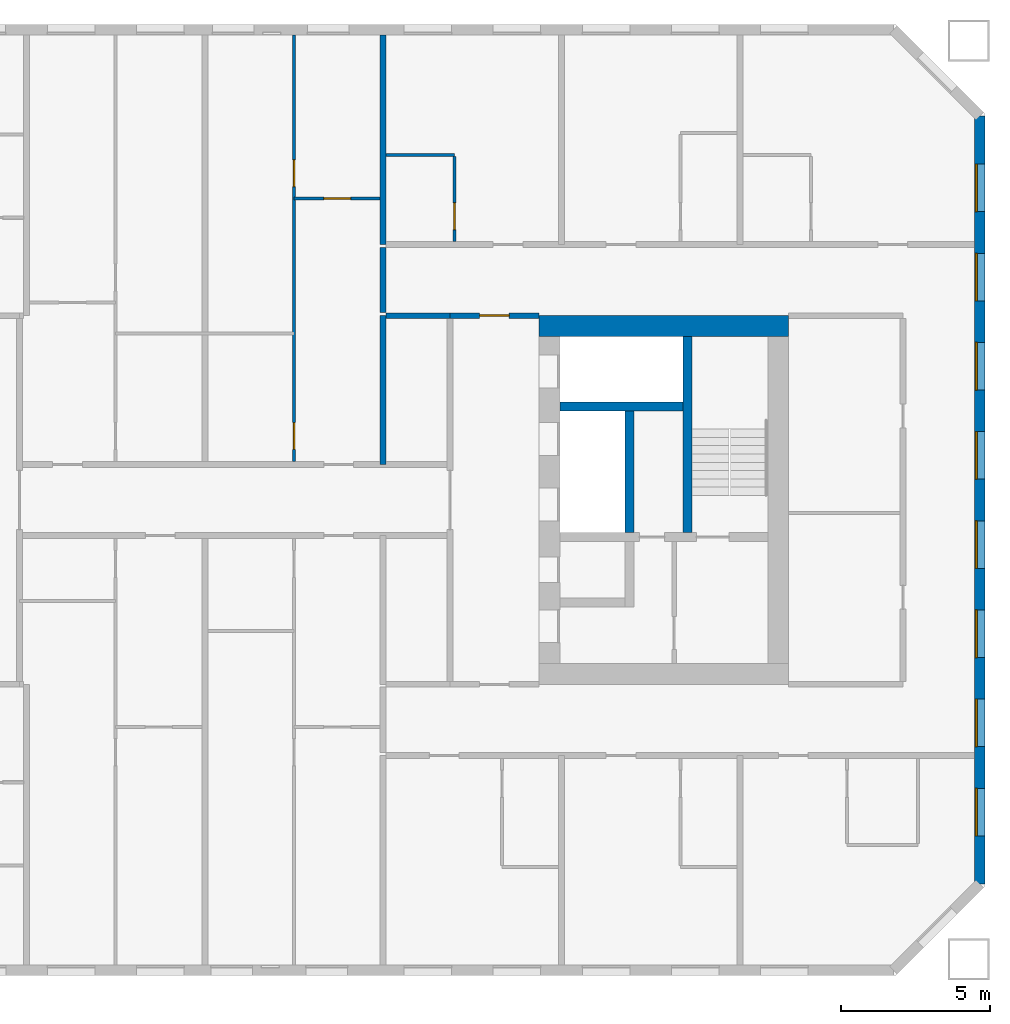
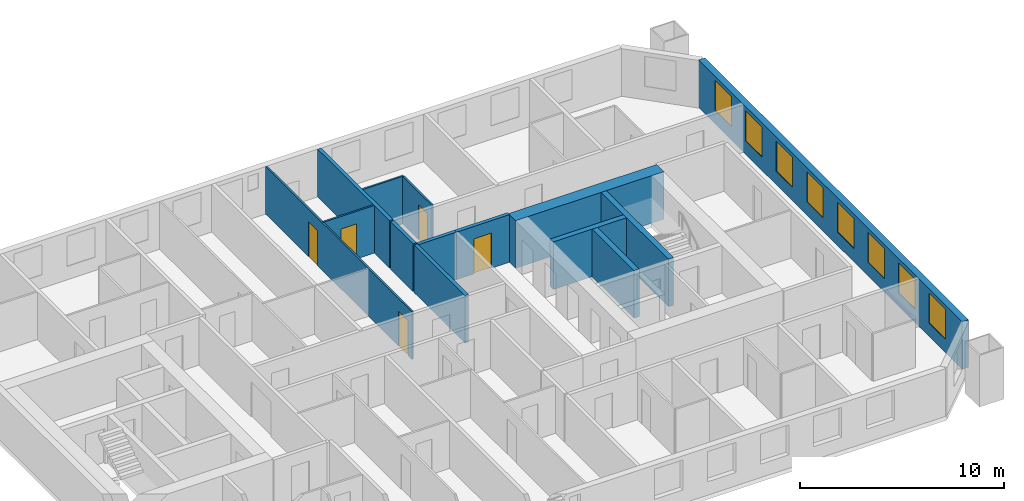
# One storey, part 13 of 16: 14 walls, 8 windows, 5 doors, 13 openings.
"""IFC4 building model written with IfcOpenShell, lengths in metres."""

from ifc_helpers import new_model, si_unit, direction, frame, frame_2d, origin, place, context, subcontext, project, spatial, rectangle, extrude, material, layer, layer_set, type_object, element, fill, save


model = new_model("IFC4")

# Units and contexts
model_context = context("Model", 3, precision=1e-05, world=origin(), true_north=direction((0.0, 1.0)))
body_context = subcontext(model_context, "Body", "Model", "MODEL_VIEW")
ifc_project = project(units=[si_unit("LENGTHUNIT", "METRE"), si_unit("AREAUNIT", "SQUARE_METRE"), si_unit("VOLUMEUNIT", "CUBIC_METRE"), si_unit("PLANEANGLEUNIT", "RADIAN"), si_unit("MASSUNIT", "GRAM", prefix="KILO")], contexts=[model_context])

# Site, building, storey
site_placement = place(None, origin())
site = spatial("IfcSite", under=ifc_project, at=site_placement, CompositionType="ELEMENT")
building_placement = place(site_placement, origin())
building = spatial("IfcBuilding", under=site, at=building_placement, Name="Tuart Gate Housing", CompositionType="ELEMENT")
storey_placement = place(building_placement, frame((0.0, 0.0, 87.10009765625)))
storey = spatial("IfcBuildingStorey", under=building, at=storey_placement, Name="L24", CompositionType="ELEMENT", Elevation=87.10009765625)

# Wall, openings, windows
ifc_material_1 = material(Name="Brick", Category="masonry")
ifc_layer_1 = layer(ifc_material_1, 0.360107421875)
ifc_layer_set_1 = layer_set([ifc_layer_1], Name="Brick pier and spandrel wall 360")
wall_type_1 = type_object("IfcWallType", Name="Brick pier and spandrel wall 360", PredefinedType="STANDARD", material=ifc_layer_set_1)
wall_1_placement = place(storey_placement, frame((175.070068359375, 57.07470703125, 0.0), z_axis=(0.0, 0.0, 1.0), x_axis=(0.0, 1.0, 0.0)))
wall_1 = element("IfcWall", 1, at=wall_1_placement, inside=storey, type_object=wall_type_1, Name="External wall B-E L24", PredefinedType="STANDARD", context=body_context, shape_type="SweptSolid", body=[
    extrude(rectangle(XDim=25.850830078125, YDim=0.360107421875, at=frame_2d((12.92529296875, 0.0))), origin(), (0.0, 0.0, 1.0), 2.849853515625),
])
opening_1_placement = place(wall_1_placement, frame((1.62548828125, 0.0, 0.800048828125)))
opening_1 = element("IfcOpeningElement", 2, at=opening_1_placement, cuts=wall_1, Name="Opening W1", PredefinedType="OPENING", context=body_context, shape_type="SweptSolid", body=[
    extrude(rectangle(XDim=1.60009765625, YDim=1.800048828125, at=frame_2d((0.800048828125, 0.89990234375))), frame((0.0, 0.18994140625, 0.0), z_axis=(0.0, -1.0, 0.0), x_axis=(1.0, 0.0, 0.0)), (0.0, 0.0, 1.0), 0.380126953125),
])
opening_2_placement = place(wall_1_placement, frame((4.62548828125, 0.0, 0.800048828125)))
opening_2 = element("IfcOpeningElement", 3, at=opening_2_placement, cuts=wall_1, Name="Opening W1", PredefinedType="OPENING", context=body_context, shape_type="SweptSolid", body=[
    extrude(rectangle(XDim=1.60009765625, YDim=1.800048828125, at=frame_2d((0.800048828125, 0.89990234375))), frame((0.0, 0.18994140625, 0.0), z_axis=(0.0, -1.0, 0.0), x_axis=(1.0, 0.0, 0.0)), (0.0, 0.0, 1.0), 0.380126953125),
])
opening_3_placement = place(wall_1_placement, frame((7.62548828125, 0.0, 0.800048828125)))
opening_3 = element("IfcOpeningElement", 4, at=opening_3_placement, cuts=wall_1, Name="Opening W1", PredefinedType="OPENING", context=body_context, shape_type="SweptSolid", body=[
    extrude(rectangle(XDim=1.60009765625, YDim=1.800048828125, at=frame_2d((0.800048828125, 0.89990234375))), frame((0.0, 0.18994140625, 0.0), z_axis=(0.0, -1.0, 0.0), x_axis=(1.0, 0.0, 0.0)), (0.0, 0.0, 1.0), 0.380126953125),
])
opening_4_placement = place(wall_1_placement, frame((10.62548828125, 0.0, 0.800048828125)))
opening_4 = element("IfcOpeningElement", 5, at=opening_4_placement, cuts=wall_1, Name="Opening W1", PredefinedType="OPENING", context=body_context, shape_type="SweptSolid", body=[
    extrude(rectangle(XDim=1.60009765625, YDim=1.800048828125, at=frame_2d((0.800048828125, 0.89990234375))), frame((0.0, 0.18994140625, 0.0), z_axis=(0.0, -1.0, 0.0), x_axis=(1.0, 0.0, 0.0)), (0.0, 0.0, 1.0), 0.380126953125),
])
opening_5_placement = place(wall_1_placement, frame((13.62548828125, 0.0, 0.800048828125)))
opening_5 = element("IfcOpeningElement", 6, at=opening_5_placement, cuts=wall_1, Name="Opening W1", PredefinedType="OPENING", context=body_context, shape_type="SweptSolid", body=[
    extrude(rectangle(XDim=1.60009765625, YDim=1.800048828125, at=frame_2d((0.800048828125, 0.89990234375))), frame((0.0, 0.18994140625, 0.0), z_axis=(0.0, -1.0, 0.0), x_axis=(1.0, 0.0, 0.0)), (0.0, 0.0, 1.0), 0.380126953125),
])
opening_6_placement = place(wall_1_placement, frame((16.62548828125, 0.0, 0.800048828125)))
opening_6 = element("IfcOpeningElement", 7, at=opening_6_placement, cuts=wall_1, Name="Opening W1", PredefinedType="OPENING", context=body_context, shape_type="SweptSolid", body=[
    extrude(rectangle(XDim=1.60009765625, YDim=1.800048828125, at=frame_2d((0.800048828125, 0.89990234375))), frame((0.0, 0.18994140625, 0.0), z_axis=(0.0, -1.0, 0.0), x_axis=(1.0, 0.0, 0.0)), (0.0, 0.0, 1.0), 0.380126953125),
])
opening_7_placement = place(wall_1_placement, frame((19.62548828125, 0.0, 0.800048828125)))
opening_7 = element("IfcOpeningElement", 8, at=opening_7_placement, cuts=wall_1, Name="Opening W1", PredefinedType="OPENING", context=body_context, shape_type="SweptSolid", body=[
    extrude(rectangle(XDim=1.60009765625, YDim=1.800048828125, at=frame_2d((0.800048828125, 0.89990234375))), frame((0.0, 0.18994140625, 0.0), z_axis=(0.0, -1.0, 0.0), x_axis=(1.0, 0.0, 0.0)), (0.0, 0.0, 1.0), 0.380126953125),
])
opening_8_placement = place(wall_1_placement, frame((22.62548828125, 0.0, 0.800048828125)))
opening_8 = element("IfcOpeningElement", 9, at=opening_8_placement, cuts=wall_1, Name="Opening W1", PredefinedType="OPENING", context=body_context, shape_type="SweptSolid", body=[
    extrude(rectangle(XDim=1.60009765625, YDim=1.800048828125, at=frame_2d((0.800048828125, 0.89990234375))), frame((0.0, 0.18994140625, 0.0), z_axis=(0.0, -1.0, 0.0), x_axis=(1.0, 0.0, 0.0)), (0.0, 0.0, 1.0), 0.380126953125),
])
ifc_material_2 = material(Name="Aluminium frame with clear glass", Category="aluminium")
window_type = type_object("IfcWindowType", Name="Punched window 1600 x 1800", PartitioningType="SINGLE_PANEL", PredefinedType="WINDOW", material=ifc_material_2)
window_1_placement = place(opening_1_placement, origin())
window_1 = element("IfcWindow", 10, at=window_1_placement, inside=storey, type_object=window_type, Name="Window W1", OverallHeight=1.800048828125, OverallWidth=1.60009765625, PartitioningType="SINGLE_PANEL", PredefinedType="WINDOW", context=body_context, shape_type="SweptSolid", body=[
    extrude(rectangle(XDim=1.60009765625, YDim=1.800048828125, at=frame_2d((0.800048828125, 0.89990234375))), frame((0.0, 0.150146484375, 0.0), z_axis=(0.0, -1.0, 0.0), x_axis=(1.0, 0.0, 0.0)), (0.0, 0.0, 1.0), 0.06005859375),
])
fill(opening_1, window_1)
window_2_placement = place(opening_2_placement, origin())
window_2 = element("IfcWindow", 11, at=window_2_placement, inside=storey, type_object=window_type, Name="Window W1", OverallHeight=1.800048828125, OverallWidth=1.60009765625, PartitioningType="SINGLE_PANEL", PredefinedType="WINDOW", context=body_context, shape_type="SweptSolid", body=[
    extrude(rectangle(XDim=1.60009765625, YDim=1.800048828125, at=frame_2d((0.800048828125, 0.89990234375))), frame((0.0, 0.150146484375, 0.0), z_axis=(0.0, -1.0, 0.0), x_axis=(1.0, 0.0, 0.0)), (0.0, 0.0, 1.0), 0.06005859375),
])
fill(opening_2, window_2)
window_3_placement = place(opening_3_placement, origin())
window_3 = element("IfcWindow", 12, at=window_3_placement, inside=storey, type_object=window_type, Name="Window W1", OverallHeight=1.800048828125, OverallWidth=1.60009765625, PartitioningType="SINGLE_PANEL", PredefinedType="WINDOW", context=body_context, shape_type="SweptSolid", body=[
    extrude(rectangle(XDim=1.60009765625, YDim=1.800048828125, at=frame_2d((0.800048828125, 0.89990234375))), frame((0.0, 0.150146484375, 0.0), z_axis=(0.0, -1.0, 0.0), x_axis=(1.0, 0.0, 0.0)), (0.0, 0.0, 1.0), 0.06005859375),
])
fill(opening_3, window_3)
window_4_placement = place(opening_4_placement, origin())
window_4 = element("IfcWindow", 13, at=window_4_placement, inside=storey, type_object=window_type, Name="Window W1", OverallHeight=1.800048828125, OverallWidth=1.60009765625, PartitioningType="SINGLE_PANEL", PredefinedType="WINDOW", context=body_context, shape_type="SweptSolid", body=[
    extrude(rectangle(XDim=1.60009765625, YDim=1.800048828125, at=frame_2d((0.800048828125, 0.89990234375))), frame((0.0, 0.150146484375, 0.0), z_axis=(0.0, -1.0, 0.0), x_axis=(1.0, 0.0, 0.0)), (0.0, 0.0, 1.0), 0.06005859375),
])
fill(opening_4, window_4)
window_5_placement = place(opening_5_placement, origin())
window_5 = element("IfcWindow", 14, at=window_5_placement, inside=storey, type_object=window_type, Name="Window W1", OverallHeight=1.800048828125, OverallWidth=1.60009765625, PartitioningType="SINGLE_PANEL", PredefinedType="WINDOW", context=body_context, shape_type="SweptSolid", body=[
    extrude(rectangle(XDim=1.60009765625, YDim=1.800048828125, at=frame_2d((0.800048828125, 0.89990234375))), frame((0.0, 0.150146484375, 0.0), z_axis=(0.0, -1.0, 0.0), x_axis=(1.0, 0.0, 0.0)), (0.0, 0.0, 1.0), 0.06005859375),
])
fill(opening_5, window_5)
window_6_placement = place(opening_6_placement, origin())
window_6 = element("IfcWindow", 15, at=window_6_placement, inside=storey, type_object=window_type, Name="Window W1", OverallHeight=1.800048828125, OverallWidth=1.60009765625, PartitioningType="SINGLE_PANEL", PredefinedType="WINDOW", context=body_context, shape_type="SweptSolid", body=[
    extrude(rectangle(XDim=1.60009765625, YDim=1.800048828125, at=frame_2d((0.800048828125, 0.89990234375))), frame((0.0, 0.150146484375, 0.0), z_axis=(0.0, -1.0, 0.0), x_axis=(1.0, 0.0, 0.0)), (0.0, 0.0, 1.0), 0.06005859375),
])
fill(opening_6, window_6)
window_7_placement = place(opening_7_placement, origin())
window_7 = element("IfcWindow", 16, at=window_7_placement, inside=storey, type_object=window_type, Name="Window W1", OverallHeight=1.800048828125, OverallWidth=1.60009765625, PartitioningType="SINGLE_PANEL", PredefinedType="WINDOW", context=body_context, shape_type="SweptSolid", body=[
    extrude(rectangle(XDim=1.60009765625, YDim=1.800048828125, at=frame_2d((0.800048828125, 0.89990234375))), frame((0.0, 0.150146484375, 0.0), z_axis=(0.0, -1.0, 0.0), x_axis=(1.0, 0.0, 0.0)), (0.0, 0.0, 1.0), 0.06005859375),
])
fill(opening_7, window_7)
window_8_placement = place(opening_8_placement, origin())
window_8 = element("IfcWindow", 17, at=window_8_placement, inside=storey, type_object=window_type, Name="Window W1", OverallHeight=1.800048828125, OverallWidth=1.60009765625, PartitioningType="SINGLE_PANEL", PredefinedType="WINDOW", context=body_context, shape_type="SweptSolid", body=[
    extrude(rectangle(XDim=1.60009765625, YDim=1.800048828125, at=frame_2d((0.800048828125, 0.89990234375))), frame((0.0, 0.150146484375, 0.0), z_axis=(0.0, -1.0, 0.0), x_axis=(1.0, 0.0, 0.0)), (0.0, 0.0, 1.0), 0.06005859375),
])
fill(opening_8, window_8)

# Walls
ifc_material_3 = material(Name="Concrete C50", Category="concrete")
ifc_layer_2 = layer(ifc_material_3, 0.300048828125)
ifc_layer_set_2 = layer_set([ifc_layer_2], Name="Core wall 300 C50")
wall_type_2 = type_object("IfcWallType", Name="Core wall 300 C50", PredefinedType="SHEAR", material=ifc_layer_set_2)
wall_2_placement = place(storey_placement, frame((160.93994140625, 73.14990234375, 0.0), z_axis=(0.0, 0.0, 1.0), x_axis=(1.0, 0.0, 0.0)))
element("IfcWall", 18, at=wall_2_placement, inside=storey, type_object=wall_type_2, Name="Core wall BK.1", PredefinedType="SHEAR", context=body_context, shape_type="SweptSolid", body=[
    extrude(rectangle(XDim=4.150146484375, YDim=0.300048828125, at=frame_2d((2.0751953125, 0.0))), origin(), (0.0, 0.0, 1.0), 2.849853515625),
])
wall_3_placement = place(storey_placement, frame((163.2900390625, 73.0, 0.0), z_axis=(0.0, 0.0, 1.0), x_axis=(0.0, -1.0, 0.0)))
element("IfcWall", 19, at=wall_3_placement, inside=storey, type_object=wall_type_2, Name="Core wall BK.4", PredefinedType="SHEAR", context=body_context, shape_type="SweptSolid", body=[
    extrude(rectangle(XDim=4.10009765625, YDim=0.300048828125, at=frame_2d((2.050048828125, 0.0))), origin(), (0.0, 0.0, 1.0), 2.849853515625),
])
wall_4_placement = place(storey_placement, frame((165.239990234375, 75.5, 0.0), z_axis=(0.0, 0.0, 1.0), x_axis=(0.0, -1.0, 0.0)))
element("IfcWall", 20, at=wall_4_placement, inside=storey, type_object=wall_type_2, Name="Core wall BK.7", PredefinedType="SHEAR", context=body_context, shape_type="SweptSolid", body=[
    extrude(rectangle(XDim=6.60009765625, YDim=0.300048828125, at=frame_2d((3.300048828125, 0.0))), origin(), (0.0, 0.0, 1.0), 2.849853515625),
])
ifc_material_4 = material(Name="Concrete C50", Category="concrete")
ifc_layer_3 = layer(ifc_material_4, 0.699951171875)
ifc_layer_set_3 = layer_set([ifc_layer_3], Name="Core wall 700 C50")
wall_type_3 = type_object("IfcWallType", Name="Core wall 700 C50", PredefinedType="SHEAR", material=ifc_layer_set_3)
wall_5_placement = place(storey_placement, frame((160.239990234375, 75.85009765625, 0.0), z_axis=(0.0, 0.0, 1.0), x_axis=(1.0, 0.0, 0.0)))
element("IfcWall", 21, at=wall_5_placement, inside=storey, type_object=wall_type_3, Name="Core wall BK south", PredefinedType="SHEAR", context=body_context, shape_type="SweptSolid", body=[
    extrude(rectangle(XDim=8.39990234375, YDim=0.699951171875, at=frame_2d((4.199951171875, 0.0))), origin(), (0.0, 0.0, 1.0), 2.849853515625),
])
ifc_material_5 = material(Name="Concrete masonry 15 MPa", Category="masonry")
ifc_layer_4 = layer(ifc_material_5, 0.199951171875)
ifc_layer_set_4 = layer_set([ifc_layer_4], Name="Corridor wall masonry 200")
wall_type_4 = type_object("IfcWallType", Name="Corridor wall masonry 200", PredefinedType="PARTITIONING", material=ifc_layer_set_4)
wall_6_placement = place(storey_placement, frame((155.10009765625, 76.199951171875, 0.0), z_axis=(0.0, 0.0, 1.0), x_axis=(1.0, 0.0, 0.0)))
element("IfcWall", 22, at=wall_6_placement, inside=storey, type_object=wall_type_4, Name="Corridor wall masonry 200", PredefinedType="PARTITIONING", context=body_context, shape_type="SweptSolid", body=[
    extrude(rectangle(XDim=2.139892578125, YDim=0.199951171875, at=frame_2d((1.06982421875, 0.0))), origin(), (0.0, 0.0, 1.0), 2.849853515625),
])
wall_7_placement = place(storey_placement, frame((155.0, 76.300048828125, 0.0), z_axis=(0.0, 0.0, 1.0), x_axis=(0.0, 1.0, 0.0)))
element("IfcWall", 23, at=wall_7_placement, inside=storey, type_object=wall_type_4, Name="Corridor wall masonry 200", PredefinedType="PARTITIONING", context=body_context, shape_type="SweptSolid", body=[
    extrude(rectangle(XDim=2.199951171875, YDim=0.199951171875, at=frame_2d((1.10009765625, 0.0))), origin(), (0.0, 0.0, 1.0), 2.849853515625),
])

# Wall, opening, door
ifc_material_6 = material(Name="Concrete masonry 15 MPa", Category="masonry")
ifc_layer_5 = layer(ifc_material_6, 0.199951171875)
ifc_layer_set_5 = layer_set([ifc_layer_5], Name="Enclosure wall masonry 200")
wall_type_5 = type_object("IfcWallType", Name="Enclosure wall masonry 200", PredefinedType="PARTITIONING", material=ifc_layer_set_5)
wall_8_placement = place(storey_placement, frame((157.239990234375, 76.199951171875, 0.0), z_axis=(0.0, 0.0, 1.0), x_axis=(1.0, 0.0, 0.0)))
wall_8 = element("IfcWall", 24, at=wall_8_placement, inside=storey, type_object=wall_type_5, Name="Enclosure wall masonry 200", PredefinedType="PARTITIONING", context=body_context, shape_type="SweptSolid", body=[
    extrude(rectangle(XDim=3.0, YDim=0.199951171875, at=frame_2d((1.5, 0.0))), origin(), (0.0, 0.0, 1.0), 2.849853515625),
])
opening_9_placement = place(wall_8_placement, frame((1.0, 0.0, 0.0)))
opening_9 = element("IfcOpeningElement", 25, at=opening_9_placement, cuts=wall_8, Name="Opening D1030", PredefinedType="OPENING", context=body_context, shape_type="SweptSolid", body=[
    extrude(rectangle(XDim=1.0, YDim=2.10009765625, at=frame_2d((0.5, 1.050048828125))), frame((0.0, 0.10986328125, 0.0), z_axis=(0.0, -1.0, 0.0), x_axis=(1.0, 0.0, 0.0)), (0.0, 0.0, 1.0), 0.219970703125),
])
ifc_material_7 = material(Name="Timber door leaf in steel frame", Category="steel")
door_type_1 = type_object("IfcDoorType", Name="Fire door 1000", OperationType="SINGLE_SWING_LEFT", PredefinedType="DOOR", material=ifc_material_7)
door_1_placement = place(opening_9_placement, origin())
door_1 = element("IfcDoor", 26, at=door_1_placement, inside=storey, type_object=door_type_1, Name="Fire door", OperationType="SINGLE_SWING_LEFT", OverallHeight=2.10009765625, OverallWidth=1.0, PredefinedType="DOOR", context=body_context, shape_type="SweptSolid", body=[
    extrude(rectangle(XDim=1.0, YDim=2.10009765625, at=frame_2d((0.5, 1.050048828125))), frame((0.0, 0.02490234375, 0.0), z_axis=(0.0, -1.0, 0.0), x_axis=(1.0, 0.0, 0.0)), (0.0, 0.0, 1.0), 0.050048828125),
])
fill(opening_9, door_1)

ifc_material_8 = material(Name="Gypsum board on steel studs", Category="steel")
ifc_layer_6 = layer(ifc_material_8, 0.10009765625)
ifc_layer_set_6 = layer_set([ifc_layer_6], Name="Partition 100")
wall_type_6 = type_object("IfcWallType", Name="Partition 100", PredefinedType="PARTITIONING", material=ifc_layer_set_6)
wall_9_placement = place(storey_placement, frame((152.0, 80.139892578125, 0.0), z_axis=(0.0, 0.0, 1.0), x_axis=(1.0, 0.0, 0.0)))
wall_9 = element("IfcWall", 27, at=wall_9_placement, inside=storey, type_object=wall_type_6, Name="Partition 100", PredefinedType="PARTITIONING", context=body_context, shape_type="SweptSolid", body=[
    extrude(rectangle(XDim=2.89990234375, YDim=0.10009765625, at=frame_2d((1.449951171875, 0.0))), origin(), (0.0, 0.0, 1.0), 2.849853515625),
])
opening_10_placement = place(wall_9_placement, frame((1.0, 0.0, 0.0)))
opening_10 = element("IfcOpeningElement", 28, at=opening_10_placement, cuts=wall_9, Name="Opening D1016", PredefinedType="OPENING", context=body_context, shape_type="SweptSolid", body=[
    extrude(rectangle(XDim=0.89990234375, YDim=2.10009765625, at=frame_2d((0.449951171875, 1.050048828125))), frame((0.0, 0.06005859375, 0.0), z_axis=(0.0, -1.0, 0.0), x_axis=(1.0, 0.0, 0.0)), (0.0, 0.0, 1.0), 0.1201171875),
])
ifc_material_9 = material(Name="Timber door leaf in steel frame", Category="steel")
door_type_2 = type_object("IfcDoorType", Name="Internal door 900 RH", OperationType="SINGLE_SWING_RIGHT", PredefinedType="DOOR", material=ifc_material_9)
door_2_placement = place(opening_10_placement, frame((0.89990234375, 0.0, 0.0), z_axis=(0.0, 0.0, 1.0), x_axis=(-1.0, 0.0, 0.0)))
door_2 = element("IfcDoor", 29, at=door_2_placement, inside=storey, type_object=door_type_2, Name="Internal door", OperationType="SINGLE_SWING_RIGHT", OverallHeight=2.10009765625, OverallWidth=0.89990234375, PredefinedType="DOOR", context=body_context, shape_type="SweptSolid", body=[
    extrude(rectangle(XDim=0.89990234375, YDim=2.10009765625, at=frame_2d((0.449951171875, 1.050048828125))), frame((0.0, 0.025146484375, 0.0), z_axis=(0.0, -1.0, 0.0), x_axis=(1.0, 0.0, 0.0)), (0.0, 0.0, 1.0), 0.050048828125),
])
fill(opening_10, door_2)

# Wall
wall_10_placement = place(storey_placement, frame((155.10009765625, 81.60009765625, 0.0), z_axis=(0.0, 0.0, 1.0), x_axis=(1.0, 0.0, 0.0)))
element("IfcWall", 30, at=wall_10_placement, inside=storey, type_object=wall_type_6, Name="Partition 100", PredefinedType="PARTITIONING", context=body_context, shape_type="SweptSolid", body=[
    extrude(rectangle(XDim=2.2998046875, YDim=0.10009765625, at=frame_2d((1.14990234375, 0.0))), origin(), (0.0, 0.0, 1.0), 2.849853515625),
])

# Wall, openings, doors
wall_11_placement = place(storey_placement, frame((152.0, 71.300048828125, 0.0), z_axis=(0.0, 0.0, 1.0), x_axis=(0.0, 1.0, 0.0)))
wall_11 = element("IfcWall", 31, at=wall_11_placement, inside=storey, type_object=wall_type_6, Name="Partition 100", PredefinedType="PARTITIONING", context=body_context, shape_type="SweptSolid", body=[
    extrude(rectangle(XDim=14.33984375, YDim=0.10009765625, at=frame_2d((7.169921875, 0.0))), origin(), (0.0, 0.0, 1.0), 2.849853515625),
])
opening_11_placement = place(wall_11_placement, frame((9.239990234375, 0.0, 0.0)))
opening_11 = element("IfcOpeningElement", 32, at=opening_11_placement, cuts=wall_11, Name="Opening D1027", PredefinedType="OPENING", context=body_context, shape_type="SweptSolid", body=[
    extrude(rectangle(XDim=0.89990234375, YDim=2.10009765625, at=frame_2d((0.449951171875, 1.050048828125))), frame((0.0, 0.06005859375, 0.0), z_axis=(0.0, -1.0, 0.0), x_axis=(1.0, 0.0, 0.0)), (0.0, 0.0, 1.0), 0.1201171875),
])
opening_12_placement = place(wall_11_placement, frame((0.39990234375, 0.0, 0.0)))
opening_12 = element("IfcOpeningElement", 33, at=opening_12_placement, cuts=wall_11, Name="Opening D1026", PredefinedType="OPENING", context=body_context, shape_type="SweptSolid", body=[
    extrude(rectangle(XDim=0.89990234375, YDim=2.10009765625, at=frame_2d((0.449951171875, 1.050048828125))), frame((0.0, 0.06005859375, 0.0), z_axis=(0.0, -1.0, 0.0), x_axis=(1.0, 0.0, 0.0)), (0.0, 0.0, 1.0), 0.1201171875),
])
ifc_material_10 = material(Name="Timber door leaf in steel frame", Category="steel")
door_type_3 = type_object("IfcDoorType", Name="Bathroom door 900", OperationType="SINGLE_SWING_LEFT", PredefinedType="DOOR", material=ifc_material_10)
door_3_placement = place(opening_12_placement, origin())
door_3 = element("IfcDoor", 34, at=door_3_placement, inside=storey, type_object=door_type_3, Name="Bathroom door", OperationType="SINGLE_SWING_LEFT", OverallHeight=2.10009765625, OverallWidth=0.89990234375, PredefinedType="DOOR", context=body_context, shape_type="SweptSolid", body=[
    extrude(rectangle(XDim=0.89990234375, YDim=2.10009765625, at=frame_2d((0.449951171875, 1.050048828125))), frame((0.0, 0.02490234375, 0.0), z_axis=(0.0, -1.0, 0.0), x_axis=(1.0, 0.0, 0.0)), (0.0, 0.0, 1.0), 0.050048828125),
])
fill(opening_12, door_3)
door_4_placement = place(opening_11_placement, origin())
door_4 = element("IfcDoor", 35, at=door_4_placement, inside=storey, type_object=door_type_2, Name="Internal door", OperationType="SINGLE_SWING_RIGHT", OverallHeight=2.10009765625, OverallWidth=0.89990234375, PredefinedType="DOOR", context=body_context, shape_type="SweptSolid", body=[
    extrude(rectangle(XDim=0.89990234375, YDim=2.10009765625, at=frame_2d((0.449951171875, 1.050048828125))), frame((0.0, 0.02490234375, 0.0), z_axis=(0.0, -1.0, 0.0), x_axis=(1.0, 0.0, 0.0)), (0.0, 0.0, 1.0), 0.050048828125),
])
fill(opening_11, door_4)

# Wall, opening, door
wall_12_placement = place(storey_placement, frame((157.39990234375, 78.699951171875, 0.0), z_axis=(0.0, 0.0, 1.0), x_axis=(0.0, 1.0, 0.0)))
wall_12 = element("IfcWall", 36, at=wall_12_placement, inside=storey, type_object=wall_type_6, Name="Partition 100", PredefinedType="PARTITIONING", context=body_context, shape_type="SweptSolid", body=[
    extrude(rectangle(XDim=2.85009765625, YDim=0.10009765625, at=frame_2d((1.425048828125, 0.0))), origin(), (0.0, 0.0, 1.0), 2.849853515625),
])
opening_13_placement = place(wall_12_placement, frame((0.39990234375, 0.0, 0.0)))
opening_13 = element("IfcOpeningElement", 37, at=opening_13_placement, cuts=wall_12, Name="Opening D1017", PredefinedType="OPENING", context=body_context, shape_type="SweptSolid", body=[
    extrude(rectangle(XDim=0.89990234375, YDim=2.10009765625, at=frame_2d((0.449951171875, 1.050048828125))), frame((0.0, 0.06005859375, 0.0), z_axis=(0.0, -1.0, 0.0), x_axis=(1.0, 0.0, 0.0)), (0.0, 0.0, 1.0), 0.1201171875),
])
door_5_placement = place(opening_13_placement, origin())
door_5 = element("IfcDoor", 38, at=door_5_placement, inside=storey, type_object=door_type_3, Name="Bathroom door", OperationType="SINGLE_SWING_LEFT", OverallHeight=2.10009765625, OverallWidth=0.89990234375, PredefinedType="DOOR", context=body_context, shape_type="SweptSolid", body=[
    extrude(rectangle(XDim=0.89990234375, YDim=2.10009765625, at=frame_2d((0.449951171875, 1.050048828125))), frame((0.0, 0.02490234375, 0.0), z_axis=(0.0, -1.0, 0.0), x_axis=(1.0, 0.0, 0.0)), (0.0, 0.0, 1.0), 0.050048828125),
])
fill(opening_13, door_5)

# Walls
ifc_material_11 = material(Name="Concrete C40", Category="concrete")
ifc_layer_7 = layer(ifc_material_11, 0.199951171875)
ifc_layer_set_7 = layer_set([ifc_layer_7], Name="Party wall concrete C40 200")
wall_type_7 = type_object("IfcWallType", Name="Party wall concrete C40 200", PredefinedType="SOLIDWALL", material=ifc_layer_set_7)
wall_13_placement = place(storey_placement, frame((155.0, 71.199951171875, 0.0), z_axis=(0.0, 0.0, 1.0), x_axis=(0.0, 1.0, 0.0)))
element("IfcWall", 39, at=wall_13_placement, inside=storey, type_object=wall_type_7, Name="Party wall concrete C40 200", PredefinedType="SOLIDWALL", context=body_context, shape_type="SweptSolid", body=[
    extrude(rectangle(XDim=5.0, YDim=0.199951171875, at=frame_2d((2.5, 0.0))), origin(), (0.0, 0.0, 1.0), 2.849853515625),
])
wall_14_placement = place(storey_placement, frame((155.0, 78.60009765625, 0.0), z_axis=(0.0, 0.0, 1.0), x_axis=(0.0, 1.0, 0.0)))
element("IfcWall", 40, at=wall_14_placement, inside=storey, type_object=wall_type_7, Name="Party wall concrete C40 200", PredefinedType="SOLIDWALL", context=body_context, shape_type="SweptSolid", body=[
    extrude(rectangle(XDim=7.039794921875, YDim=0.199951171875, at=frame_2d((3.52001953125, 0.0))), origin(), (0.0, 0.0, 1.0), 2.849853515625),
])

save(model, "model.ifc")
